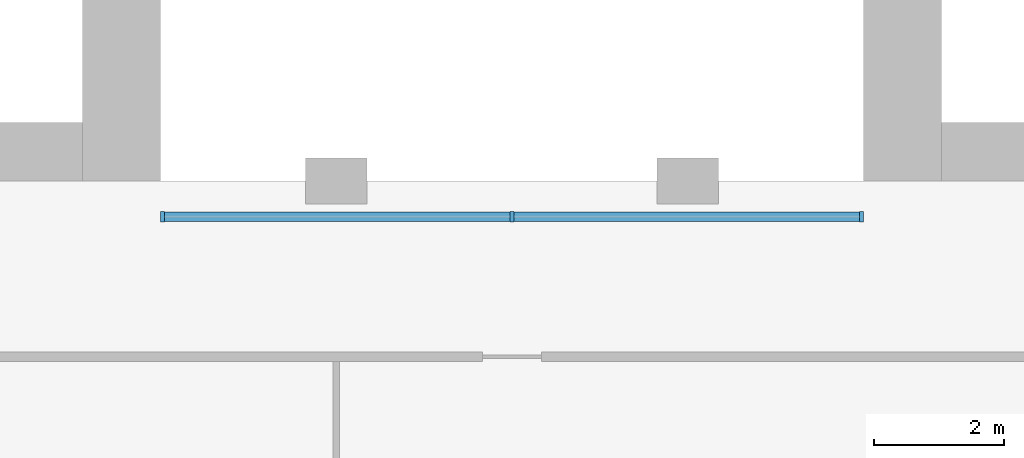
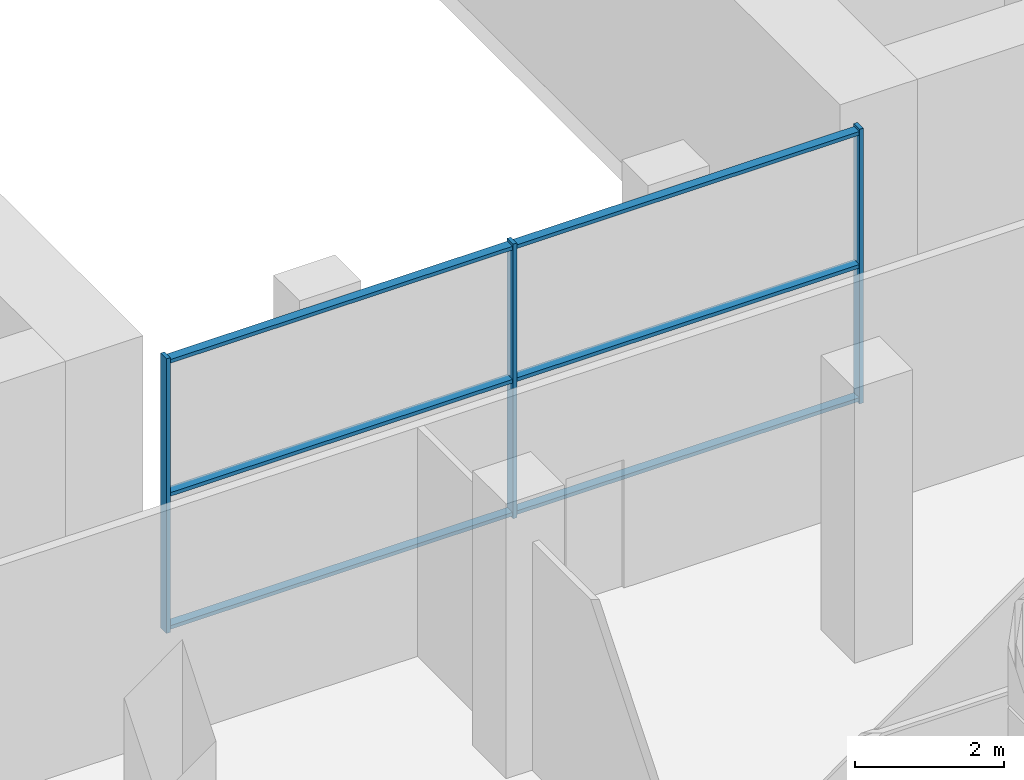
# One storey, part 3 of 15: 9 members, 1 element without a shape of its own.
"""IFC4 building model written with IfcOpenShell, lengths in metres."""

from ifc_helpers import new_model, si_unit, direction, frame, origin, origin_2d, place, context, subcontext, project, spatial, rectangle, extrude, material, material_profile, profile_set, type_object, element, aggregate, save


model = new_model("IFC4")

# Units and contexts
model_context = context("Model", 3, precision=1e-05, world=origin(), true_north=direction((0.0, 1.0)))
body_context = subcontext(model_context, "Body", "Model", "MODEL_VIEW")
ifc_project = project(units=[si_unit("LENGTHUNIT", "METRE"), si_unit("AREAUNIT", "SQUARE_METRE"), si_unit("VOLUMEUNIT", "CUBIC_METRE"), si_unit("PLANEANGLEUNIT", "RADIAN"), si_unit("MASSUNIT", "GRAM", prefix="KILO")], contexts=[model_context])

# Site, building, storey
site_placement = place(None, origin())
site = spatial("IfcSite", under=ifc_project, at=site_placement, CompositionType="ELEMENT")
building_placement = place(site_placement, origin())
building = spatial("IfcBuilding", under=site, at=building_placement, Name="Tabaq Tower and Sports Hall", CompositionType="ELEMENT")
storey_placement = place(building_placement, frame((0.0, 0.0, 148.0)))
storey = spatial("IfcBuildingStorey", under=building, at=storey_placement, Name="L34", CompositionType="ELEMENT", Elevation=148.0)

# Curtain wall, members
ifc_material_1 = material(Name="Aluminium alloy 6063-T6 framed glazing", Category="aluminium")
curtain_wall_type = type_object("IfcCurtainWallType", Name="CW1 curtain wall", PredefinedType="USERDEFINED", material=ifc_material_1)
curtain_wall_placement = place(storey_placement, origin())
curtain_wall = element("IfcCurtainWall", 1, at=curtain_wall_placement, inside=storey, type_object=curtain_wall_type, Name="Atrium glazing L34 S", ObjectType="ATRIUM ENCLOSURE", PredefinedType="USERDEFINED")
ifc_material_2 = material(Name="Aluminium alloy 6063-T6", Category="aluminium")
ifc_material_profile_1 = material_profile(ifc_material_2, rectangle(XDim=0.159912109375, YDim=0.06005859375, at=origin_2d()), Name="MULLION 160x60")
ifc_profile_set_1 = profile_set([ifc_material_profile_1], Name="Aluminium alloy 6063-T6")
member_type_1 = type_object("IfcMemberType", Name="CW1 mullion 160x60", PredefinedType="MULLION", material=ifc_profile_set_1)
member_1_placement = place(storey_placement, frame((18.929931640625, 15.64990234375, 0.0), z_axis=(0.0, 0.0, 1.0), x_axis=(0.0, 1.0, 0.0)))
member_1 = element("IfcMember", 2, at=member_1_placement, type_object=member_type_1, Name="CW1 mullion 1", PredefinedType="MULLION", context=body_context, shape_type="SweptSolid", body=[
    extrude(rectangle(XDim=0.159912109375, YDim=0.06005859375, at=origin_2d()), origin(), (0.0, 0.0, 1.0), 4.5),
])
member_2_placement = place(storey_placement, frame((24.300048828125, 15.64990234375, 0.0), z_axis=(0.0, 0.0, 1.0), x_axis=(0.0, 1.0, 0.0)))
member_2 = element("IfcMember", 3, at=member_2_placement, type_object=member_type_1, Name="CW1 mullion 2", PredefinedType="MULLION", context=body_context, shape_type="SweptSolid", body=[
    extrude(rectangle(XDim=0.159912109375, YDim=0.06005859375, at=origin_2d()), origin(), (0.0, 0.0, 1.0), 4.5),
])
member_3_placement = place(storey_placement, frame((29.669921875, 15.64990234375, 0.0), z_axis=(0.0, 0.0, 1.0), x_axis=(0.0, 1.0, 0.0)))
member_3 = element("IfcMember", 4, at=member_3_placement, type_object=member_type_1, Name="CW1 mullion 3", PredefinedType="MULLION", context=body_context, shape_type="SweptSolid", body=[
    extrude(rectangle(XDim=0.159912109375, YDim=0.06005859375, at=origin_2d()), origin(), (0.0, 0.0, 1.0), 4.5),
])
ifc_material_3 = material(Name="Aluminium alloy 6063-T6", Category="aluminium")
ifc_material_profile_2 = material_profile(ifc_material_3, rectangle(XDim=0.139892578125, YDim=0.06005859375, at=origin_2d()), Name="TRANSOM 140x60")
ifc_profile_set_2 = profile_set([ifc_material_profile_2], Name="Aluminium alloy 6063-T6")
member_type_2 = type_object("IfcMemberType", Name="CW1 transom 140x60", PredefinedType="USERDEFINED", material=ifc_profile_set_2)
member_4_placement = place(storey_placement, frame((18.9599609375, 15.64990234375, 0.070068359375), z_axis=(1.0, 0.0, 0.0), x_axis=(0.0, 1.0, 0.0)))
member_4 = element("IfcMember", 5, at=member_4_placement, type_object=member_type_2, Name="CW1 transom 1.1", ObjectType="TRANSOM", PredefinedType="USERDEFINED", context=body_context, shape_type="SweptSolid", body=[
    extrude(rectangle(XDim=0.139892578125, YDim=0.06005859375, at=origin_2d()), origin(), (0.0, 0.0, 1.0), 5.31005859375),
])
member_5_placement = place(storey_placement, frame((18.9599609375, 15.64990234375, 2.25), z_axis=(1.0, 0.0, 0.0), x_axis=(0.0, 1.0, 0.0)))
member_5 = element("IfcMember", 6, at=member_5_placement, type_object=member_type_2, Name="CW1 transom 1.2", ObjectType="TRANSOM", PredefinedType="USERDEFINED", context=body_context, shape_type="SweptSolid", body=[
    extrude(rectangle(XDim=0.139892578125, YDim=0.06005859375, at=origin_2d()), origin(), (0.0, 0.0, 1.0), 5.31005859375),
])
member_6_placement = place(storey_placement, frame((18.9599609375, 15.64990234375, 4.429931640625), z_axis=(1.0, 0.0, 0.0), x_axis=(0.0, 1.0, 0.0)))
member_6 = element("IfcMember", 7, at=member_6_placement, type_object=member_type_2, Name="CW1 transom 1.3", ObjectType="TRANSOM", PredefinedType="USERDEFINED", context=body_context, shape_type="SweptSolid", body=[
    extrude(rectangle(XDim=0.139892578125, YDim=0.06005859375, at=origin_2d()), origin(), (0.0, 0.0, 1.0), 5.31005859375),
])
member_7_placement = place(storey_placement, frame((24.330078125, 15.64990234375, 0.070068359375), z_axis=(1.0, 0.0, 0.0), x_axis=(0.0, 1.0, 0.0)))
member_7 = element("IfcMember", 8, at=member_7_placement, type_object=member_type_2, Name="CW1 transom 2.1", ObjectType="TRANSOM", PredefinedType="USERDEFINED", context=body_context, shape_type="SweptSolid", body=[
    extrude(rectangle(XDim=0.139892578125, YDim=0.06005859375, at=origin_2d()), origin(), (0.0, 0.0, 1.0), 5.309814453125),
])
member_8_placement = place(storey_placement, frame((24.330078125, 15.64990234375, 2.25), z_axis=(1.0, 0.0, 0.0), x_axis=(0.0, 1.0, 0.0)))
member_8 = element("IfcMember", 9, at=member_8_placement, type_object=member_type_2, Name="CW1 transom 2.2", ObjectType="TRANSOM", PredefinedType="USERDEFINED", context=body_context, shape_type="SweptSolid", body=[
    extrude(rectangle(XDim=0.139892578125, YDim=0.06005859375, at=origin_2d()), origin(), (0.0, 0.0, 1.0), 5.309814453125),
])
member_9_placement = place(storey_placement, frame((24.330078125, 15.64990234375, 4.429931640625), z_axis=(1.0, 0.0, 0.0), x_axis=(0.0, 1.0, 0.0)))
member_9 = element("IfcMember", 10, at=member_9_placement, type_object=member_type_2, Name="CW1 transom 2.3", ObjectType="TRANSOM", PredefinedType="USERDEFINED", context=body_context, shape_type="SweptSolid", body=[
    extrude(rectangle(XDim=0.139892578125, YDim=0.06005859375, at=origin_2d()), origin(), (0.0, 0.0, 1.0), 5.309814453125),
])
aggregate(curtain_wall, [member_1, member_2, member_3, member_4, member_5, member_6, member_7, member_8, member_9])

save(model, "model.ifc")
